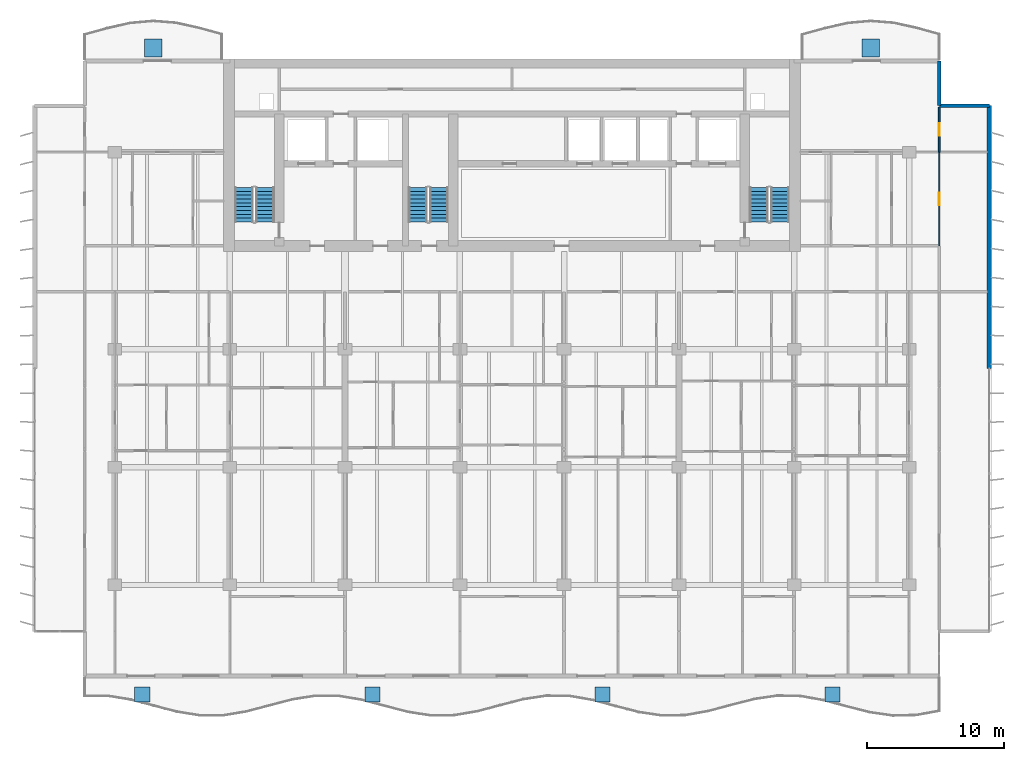
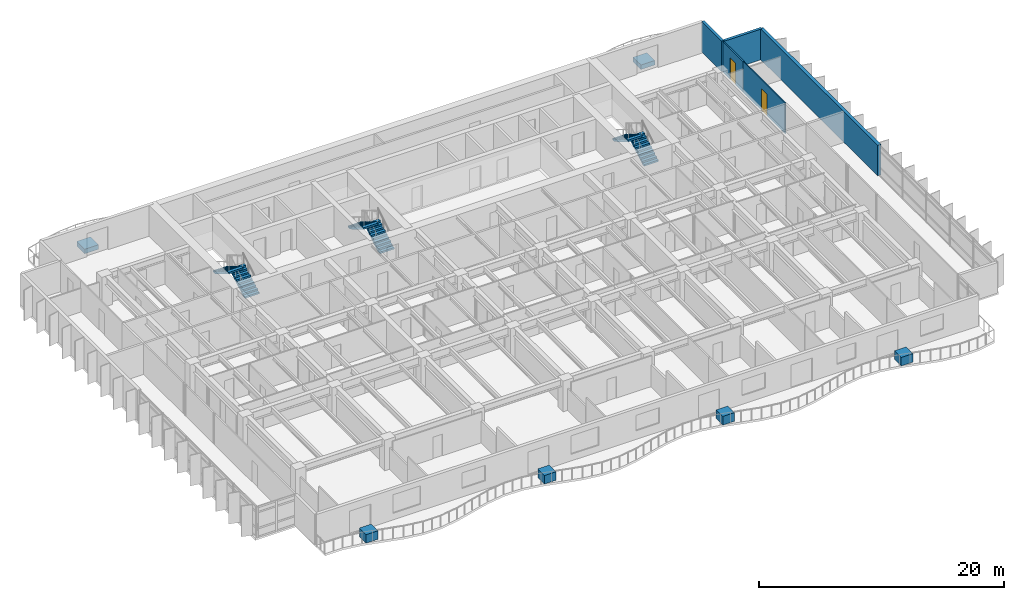
# One storey, part 15 of 19: 6 discrete accessories, 6 stair flights, 5 walls, 2 doors, 2 openings, 3 elements without a shape of their own.
"""IFC4 building model written with IfcOpenShell, lengths in metres."""

from ifc_helpers import new_model, si_unit, direction, frame, frame_2d, origin, origin_2d, place, context, subcontext, project, spatial, polyline, rectangle, outline, extrude, material, layer, layer_set, type_object, element, fill, aggregate, save


model = new_model("IFC4")

# Units and contexts
model_context = context("Model", 3, precision=1e-05, world=origin(), true_north=direction((0.0, 1.0)))
body_context = subcontext(model_context, "Body", "Model", "MODEL_VIEW")
ifc_project = project(units=[si_unit("LENGTHUNIT", "METRE"), si_unit("AREAUNIT", "SQUARE_METRE"), si_unit("VOLUMEUNIT", "CUBIC_METRE"), si_unit("PLANEANGLEUNIT", "RADIAN"), si_unit("MASSUNIT", "GRAM", prefix="KILO")], contexts=[model_context])

# Site, building, storey
site_placement = place(None, origin())
site = spatial("IfcSite", under=ifc_project, at=site_placement, CompositionType="ELEMENT")
building_placement = place(site_placement, origin())
building = spatial("IfcBuilding", under=site, at=building_placement, Name="Caelmar Bay Residences", CompositionType="ELEMENT")
storey_placement = place(building_placement, frame((0.0, 0.0, 112.5)))
storey = spatial("IfcBuildingStorey", under=building, at=storey_placement, Name="L30", CompositionType="ELEMENT", Elevation=112.5)

# Walls
ifc_material_1 = material(Name="Precast concrete f'c 40 MPa (6,000 psi)", Category="concrete")
ifc_layer_1 = layer(ifc_material_1, 0.25)
ifc_layer_set_1 = layer_set([ifc_layer_1], Name="Precast concrete f'c 40 MPa (6,000 psi)")
wall_type_1 = type_object("IfcWallType", Name="W-EXT-250", PredefinedType="ELEMENTEDWALL", material=ifc_layer_set_1)
wall_1_placement = place(storey_placement, frame((70.10009765625, 50.449951171875, 0.0), z_axis=(0.0, 0.0, 1.0), x_axis=(0.0, -1.0, 0.0)))
element("IfcWall", 1, at=wall_1_placement, inside=storey, type_object=wall_type_1, Name="L30 NNE-V Notch Wall", PredefinedType="ELEMENTEDWALL", context=body_context, shape_type="SweptSolid", body=[
    extrude(rectangle(XDim=3.25, YDim=0.25, at=frame_2d((1.625, 0.0))), origin(), (0.0, 0.0, 1.0), 3.050048828125),
])
wall_2_placement = place(storey_placement, frame((70.10009765625, 47.199951171875, 0.0), z_axis=(0.0, 0.0, 1.0), x_axis=(1.0, 0.0, 0.0)))
element("IfcWall", 2, at=wall_2_placement, inside=storey, type_object=wall_type_1, Name="L30 NNE-H Notch Wall", PredefinedType="ELEMENTEDWALL", context=body_context, shape_type="SweptSolid", body=[
    extrude(rectangle(XDim=3.64990234375, YDim=0.25, at=frame_2d((1.824951171875, 0.0))), origin(), (0.0, 0.0, 1.0), 3.050048828125),
])
ifc_layer_2 = layer(ifc_material_1, 0.300048828125)
ifc_layer_set_2 = layer_set([ifc_layer_2], Name="Precast concrete f'c 40 MPa (6,000 psi)")
wall_type_2 = type_object("IfcWallType", Name="W-EXT-300", PredefinedType="STANDARD", material=ifc_layer_set_2)
wall_3_placement = place(storey_placement, frame((73.75, 47.199951171875, 0.0), z_axis=(0.0, 0.0, 1.0), x_axis=(0.0, -1.0, 0.0)))
element("IfcWall", 3, at=wall_3_placement, inside=storey, type_object=wall_type_2, Name="L30 East Rear Exterior Wall", PredefinedType="STANDARD", context=body_context, shape_type="SweptSolid", body=[
    extrude(rectangle(XDim=19.199951171875, YDim=0.300048828125, at=frame_2d((9.60009765625, 0.0))), origin(), (0.0, 0.0, 1.0), 3.050048828125),
])

# Wall, opening, door
ifc_material_2 = material(Name="Anodised bronze framed acoustic sliding study partition 100 mm")
ifc_layer_3 = layer(ifc_material_2, 0.10009765625)
ifc_layer_set_3 = layer_set([ifc_layer_3], Name="Anodised bronze framed acoustic sliding study partition 100 mm")
wall_type_3 = type_object("IfcWallType", Name="W-MOV-100", PredefinedType="MOVABLE", material=ifc_layer_set_3)
wall_4_placement = place(storey_placement, frame((70.10009765625, 36.955078125, 0.0), z_axis=(0.0, 0.0, 1.0), x_axis=(0.0, 1.0, 0.0)))
wall_4 = element("IfcWall", 4, at=wall_4_placement, inside=storey, type_object=wall_type_3, Name="L30 Partition Wall V118", PredefinedType="MOVABLE", context=body_context, shape_type="SweptSolid", body=[
    extrude(rectangle(XDim=6.844970703125, YDim=0.10009765625, at=frame_2d((3.42236328125, 0.0))), origin(), (0.0, 0.0, 1.0), 3.050048828125),
])
opening_1_placement = place(wall_4_placement, frame((2.972412109375, 0.0, 0.0)))
opening_1 = element("IfcOpeningElement", 5, at=opening_1_placement, cuts=wall_4, Name="Opening D-L30-176", PredefinedType="OPENING", context=body_context, shape_type="SweptSolid", body=[
    extrude(rectangle(XDim=0.89990234375, YDim=2.14990234375, at=frame_2d((0.449951171875, 1.074951171875))), frame((0.0, 0.06005859375, 0.0), z_axis=(0.0, -1.0, 0.0), x_axis=(1.0, 0.0, 0.0)), (0.0, 0.0, 1.0), 0.1201171875),
])
ifc_material_3 = material(Name="Solid walnut timber interior door leaf and frame", Category="wood")
ifc_layer_4 = layer(ifc_material_3, 0.050048828125)
ifc_layer_set_4 = layer_set([ifc_layer_4], Name="Solid walnut timber interior door leaf and frame")
door_type = type_object("IfcDoorType", Name="D-ROOM-900", OperationType="NOTDEFINED", PredefinedType="DOOR", material=ifc_layer_set_4)
door_1_placement = place(opening_1_placement, origin())
door_1 = element("IfcDoor", 6, at=door_1_placement, inside=storey, type_object=door_type, Name="L30 Residence EA Sun Study Door", OperationType="SINGLE_SWING_RIGHT", OverallHeight=2.14990234375, OverallWidth=0.89990234375, PredefinedType="DOOR", context=body_context, shape_type="SweptSolid", body=[
    extrude(rectangle(XDim=0.89990234375, YDim=2.14990234375, at=frame_2d((0.449951171875, 1.074951171875))), frame((0.0, 0.02490234375, 0.0), z_axis=(0.0, -1.0, 0.0), x_axis=(1.0, 0.0, 0.0)), (0.0, 0.0, 1.0), 0.050048828125),
])
fill(opening_1, door_1)

ifc_material_4 = material(Name="Acoustic metal-stud gypsum partition 120 mm")
ifc_layer_5 = layer(ifc_material_4, 0.1201171875)
ifc_layer_set_5 = layer_set([ifc_layer_5], Name="Acoustic metal-stud gypsum partition 120 mm")
wall_type_4 = type_object("IfcWallType", Name="W-PRT-120", PredefinedType="PARTITIONING", material=ifc_layer_set_5)
wall_5_placement = place(storey_placement, frame((70.10009765625, 43.804931640625, 0.0), z_axis=(0.0, 0.0, 1.0), x_axis=(0.0, 1.0, 0.0)))
wall_5 = element("IfcWall", 7, at=wall_5_placement, inside=storey, type_object=wall_type_4, Name="L30 Partition Wall V119", PredefinedType="PARTITIONING", context=body_context, shape_type="SweptSolid", body=[
    extrude(rectangle(XDim=3.275146484375, YDim=0.1201171875, at=frame_2d((1.6376953125, 0.0))), origin(), (0.0, 0.0, 1.0), 3.050048828125),
])
opening_2_placement = place(wall_5_placement, frame((1.1875, 0.0, 0.0)))
opening_2 = element("IfcOpeningElement", 8, at=opening_2_placement, cuts=wall_5, Name="Opening D-L30-177", PredefinedType="OPENING", context=body_context, shape_type="SweptSolid", body=[
    extrude(rectangle(XDim=0.89990234375, YDim=2.14990234375, at=frame_2d((0.449951171875, 1.074951171875))), frame((0.0, 0.070068359375, 0.0), z_axis=(0.0, -1.0, 0.0), x_axis=(1.0, 0.0, 0.0)), (0.0, 0.0, 1.0), 0.14013671875),
])
door_2_placement = place(opening_2_placement, origin())
door_2 = element("IfcDoor", 9, at=door_2_placement, inside=storey, type_object=door_type, Name="L30 Residence EA North Sitting Alcove Door", OperationType="SINGLE_SWING_LEFT", OverallHeight=2.14990234375, OverallWidth=0.89990234375, PredefinedType="DOOR", context=body_context, shape_type="SweptSolid", body=[
    extrude(rectangle(XDim=0.89990234375, YDim=2.14990234375, at=frame_2d((0.449951171875, 1.074951171875))), frame((0.0, 0.02490234375, 0.0), z_axis=(0.0, -1.0, 0.0), x_axis=(1.0, 0.0, 0.0)), (0.0, 0.0, 1.0), 0.050048828125),
])
fill(opening_2, door_2)

# Stair, stair flights
ifc_material_5 = material(Name="Concrete f'c 40 MPa (6,000 psi)", Category="concrete")
stair_type = type_object("IfcStairType", Name="ST-TYP-165", PredefinedType="HALF_TURN_STAIR", material=ifc_material_5)
stair_1_placement = place(storey_placement, origin())
stair_1 = element("IfcStair", 10, at=stair_1_placement, inside=storey, type_object=stair_type, Name="L30 West Smokeproof Exit Stair ST1", PredefinedType="HALF_TURN_STAIR")
stair_flight_type = type_object("IfcStairFlightType", Name="STF-1350", PredefinedType="STRAIGHT", material=ifc_material_5)
stair_flight_1_placement = place(storey_placement, frame((20.875, 38.699951171875, 0.0), z_axis=(0.0, 0.0, 1.0), x_axis=(0.0, 1.0, 0.0)))
stair_flight_1 = element("IfcStairFlight", 11, at=stair_flight_1_placement, type_object=stair_flight_type, Name="ST1 flight 1", NumberOfRisers=10, NumberOfTreads=9, PredefinedType="STRAIGHT", RiserHeight=0.165, TreadLength=0.28, context=body_context, shape_type="SweptSolid", body=[
    extrude(outline(polyline([(0.0, 0.0), (0.0, 0.1650390625), (0.280029296875, 0.1650390625), (0.280029296875, 0.330078125), (0.56005859375, 0.330078125), (0.56005859375, 0.4951171875), (0.840087890625, 0.4951171875), (0.840087890625, 0.659912109375), (1.1201171875, 0.659912109375), (1.1201171875, 0.824951171875), (1.39990234375, 0.824951171875), (1.39990234375, 0.989990234375), (1.679931640625, 0.989990234375), (1.679931640625, 1.155029296875), (1.9599609375, 1.155029296875), (1.9599609375, 1.320068359375), (2.239990234375, 1.320068359375), (2.239990234375, 1.485107421875), (2.52001953125, 1.485107421875), (2.52001953125, 1.64990234375), (2.52001953125, 1.31103515625), (0.295166015625, 0.0), (0.0, 0.0)])), frame((0.0, 0.675048828125, 0.0), z_axis=(0.0, -1.0, 0.0), x_axis=(1.0, 0.0, 0.0)), (0.0, 0.0, 1.0), 1.35009765625),
])
stair_flight_2_placement = place(storey_placement, frame((19.324951171875, 41.219970703125, 1.64990234375), z_axis=(0.0, 0.0, 1.0), x_axis=(0.0, -1.0, 0.0)))
stair_flight_2 = element("IfcStairFlight", 12, at=stair_flight_2_placement, type_object=stair_flight_type, Name="ST1 flight 2", NumberOfRisers=10, NumberOfTreads=9, PredefinedType="STRAIGHT", RiserHeight=0.165, TreadLength=0.28, context=body_context, shape_type="SweptSolid", body=[
    extrude(outline(polyline([(0.0, 0.0), (0.0, 0.1650390625), (0.280029296875, 0.1650390625), (0.280029296875, 0.330078125), (0.56005859375, 0.330078125), (0.56005859375, 0.4951171875), (0.840087890625, 0.4951171875), (0.840087890625, 0.659912109375), (1.1201171875, 0.659912109375), (1.1201171875, 0.824951171875), (1.39990234375, 0.824951171875), (1.39990234375, 0.989990234375), (1.679931640625, 0.989990234375), (1.679931640625, 1.155029296875), (1.9599609375, 1.155029296875), (1.9599609375, 1.320068359375), (2.239990234375, 1.320068359375), (2.239990234375, 1.485107421875), (2.52001953125, 1.485107421875), (2.52001953125, 1.64990234375), (2.52001953125, 1.31103515625), (0.295166015625, 0.0), (0.0, 0.0)])), frame((0.0, 0.675048828125, 0.0), z_axis=(0.0, -1.0, 0.0), x_axis=(1.0, 0.0, 0.0)), (0.0, 0.0, 1.0), 1.35009765625),
])
aggregate(stair_1, [stair_flight_1, stair_flight_2])

stair_2_placement = place(storey_placement, origin())
stair_2 = element("IfcStair", 13, at=stair_2_placement, inside=storey, type_object=stair_type, Name="L30 East Smokeproof Exit Stair ST2", PredefinedType="HALF_TURN_STAIR")
stair_flight_3_placement = place(storey_placement, frame((58.47509765625, 38.699951171875, 0.0), z_axis=(0.0, 0.0, 1.0), x_axis=(0.0, 1.0, 0.0)))
stair_flight_3 = element("IfcStairFlight", 14, at=stair_flight_3_placement, type_object=stair_flight_type, Name="ST2 flight 1", NumberOfRisers=10, NumberOfTreads=9, PredefinedType="STRAIGHT", RiserHeight=0.165, TreadLength=0.28, context=body_context, shape_type="SweptSolid", body=[
    extrude(outline(polyline([(0.0, 0.0), (0.0, 0.1650390625), (0.280029296875, 0.1650390625), (0.280029296875, 0.330078125), (0.56005859375, 0.330078125), (0.56005859375, 0.4951171875), (0.840087890625, 0.4951171875), (0.840087890625, 0.659912109375), (1.1201171875, 0.659912109375), (1.1201171875, 0.824951171875), (1.39990234375, 0.824951171875), (1.39990234375, 0.989990234375), (1.679931640625, 0.989990234375), (1.679931640625, 1.155029296875), (1.9599609375, 1.155029296875), (1.9599609375, 1.320068359375), (2.239990234375, 1.320068359375), (2.239990234375, 1.485107421875), (2.52001953125, 1.485107421875), (2.52001953125, 1.64990234375), (2.52001953125, 1.31103515625), (0.295166015625, 0.0), (0.0, 0.0)])), frame((0.0, 0.675048828125, 0.0), z_axis=(0.0, -1.0, 0.0), x_axis=(1.0, 0.0, 0.0)), (0.0, 0.0, 1.0), 1.35009765625),
])
stair_flight_4_placement = place(storey_placement, frame((56.925048828125, 41.219970703125, 1.64990234375), z_axis=(0.0, 0.0, 1.0), x_axis=(0.0, -1.0, 0.0)))
stair_flight_4 = element("IfcStairFlight", 15, at=stair_flight_4_placement, type_object=stair_flight_type, Name="ST2 flight 2", NumberOfRisers=10, NumberOfTreads=9, PredefinedType="STRAIGHT", RiserHeight=0.165, TreadLength=0.28, context=body_context, shape_type="SweptSolid", body=[
    extrude(outline(polyline([(0.0, 0.0), (0.0, 0.1650390625), (0.280029296875, 0.1650390625), (0.280029296875, 0.330078125), (0.56005859375, 0.330078125), (0.56005859375, 0.4951171875), (0.840087890625, 0.4951171875), (0.840087890625, 0.659912109375), (1.1201171875, 0.659912109375), (1.1201171875, 0.824951171875), (1.39990234375, 0.824951171875), (1.39990234375, 0.989990234375), (1.679931640625, 0.989990234375), (1.679931640625, 1.155029296875), (1.9599609375, 1.155029296875), (1.9599609375, 1.320068359375), (2.239990234375, 1.320068359375), (2.239990234375, 1.485107421875), (2.52001953125, 1.485107421875), (2.52001953125, 1.64990234375), (2.52001953125, 1.31103515625), (0.295166015625, 0.0), (0.0, 0.0)])), frame((0.0, 0.675048828125, 0.0), z_axis=(0.0, -1.0, 0.0), x_axis=(1.0, 0.0, 0.0)), (0.0, 0.0, 1.0), 1.35009765625),
])
aggregate(stair_2, [stair_flight_3, stair_flight_4])

stair_3_placement = place(storey_placement, origin())
stair_3 = element("IfcStair", 16, at=stair_3_placement, inside=storey, type_object=stair_type, Name="L30 Central Smokeproof Exit Stair ST3", PredefinedType="HALF_TURN_STAIR")
stair_flight_5_placement = place(storey_placement, frame((33.574951171875, 38.699951171875, 0.0), z_axis=(0.0, 0.0, 1.0), x_axis=(0.0, 1.0, 0.0)))
stair_flight_5 = element("IfcStairFlight", 17, at=stair_flight_5_placement, type_object=stair_flight_type, Name="ST3 flight 1", NumberOfRisers=10, NumberOfTreads=9, PredefinedType="STRAIGHT", RiserHeight=0.165, TreadLength=0.28, context=body_context, shape_type="SweptSolid", body=[
    extrude(outline(polyline([(0.0, 0.0), (0.0, 0.1650390625), (0.280029296875, 0.1650390625), (0.280029296875, 0.330078125), (0.56005859375, 0.330078125), (0.56005859375, 0.4951171875), (0.840087890625, 0.4951171875), (0.840087890625, 0.659912109375), (1.1201171875, 0.659912109375), (1.1201171875, 0.824951171875), (1.39990234375, 0.824951171875), (1.39990234375, 0.989990234375), (1.679931640625, 0.989990234375), (1.679931640625, 1.155029296875), (1.9599609375, 1.155029296875), (1.9599609375, 1.320068359375), (2.239990234375, 1.320068359375), (2.239990234375, 1.485107421875), (2.52001953125, 1.485107421875), (2.52001953125, 1.64990234375), (2.52001953125, 1.31103515625), (0.295166015625, 0.0), (0.0, 0.0)])), frame((0.0, 0.675048828125, 0.0), z_axis=(0.0, -1.0, 0.0), x_axis=(1.0, 0.0, 0.0)), (0.0, 0.0, 1.0), 1.35009765625),
])
stair_flight_6_placement = place(storey_placement, frame((32.02490234375, 41.219970703125, 1.64990234375), z_axis=(0.0, 0.0, 1.0), x_axis=(0.0, -1.0, 0.0)))
stair_flight_6 = element("IfcStairFlight", 18, at=stair_flight_6_placement, type_object=stair_flight_type, Name="ST3 flight 2", NumberOfRisers=10, NumberOfTreads=9, PredefinedType="STRAIGHT", RiserHeight=0.165, TreadLength=0.28, context=body_context, shape_type="SweptSolid", body=[
    extrude(outline(polyline([(0.0, 0.0), (0.0, 0.1650390625), (0.280029296875, 0.1650390625), (0.280029296875, 0.330078125), (0.56005859375, 0.330078125), (0.56005859375, 0.4951171875), (0.840087890625, 0.4951171875), (0.840087890625, 0.659912109375), (1.1201171875, 0.659912109375), (1.1201171875, 0.824951171875), (1.39990234375, 0.824951171875), (1.39990234375, 0.989990234375), (1.679931640625, 0.989990234375), (1.679931640625, 1.155029296875), (1.9599609375, 1.155029296875), (1.9599609375, 1.320068359375), (2.239990234375, 1.320068359375), (2.239990234375, 1.485107421875), (2.52001953125, 1.485107421875), (2.52001953125, 1.64990234375), (2.52001953125, 1.31103515625), (0.295166015625, 0.0), (0.0, 0.0)])), frame((0.0, 0.675048828125, 0.0), z_axis=(0.0, -1.0, 0.0), x_axis=(1.0, 0.0, 0.0)), (0.0, 0.0, 1.0), 1.35009765625),
])
aggregate(stair_3, [stair_flight_5, stair_flight_6])

# Discrete accessories
ifc_material_6 = material(Name="Architectural bronze GRC planter trough with volcanic-lapilli substrate")
discrete_accessory_type_1 = type_object("IfcDiscreteAccessoryType", Name="ACC-PLANTER-1100", PredefinedType="USERDEFINED", material=ifc_material_6)
for number, where, z_axis, x_axis, name in (
    (19, (11.89990234375, 4.181884765625, 0.0), (0.0, 0.0, 1.0), (1.0, 0.0, 0.0), "L30 Balcony Structural Tree Planter 1"),
    (20, (28.699951171875, 4.181884765625, 0.0), (0.0, 0.0, 1.0), (1.0, 0.0, 0.0), "L30 Balcony Structural Tree Planter 2"),
    (21, (45.5, 4.181884765625, 0.0), (0.0, 0.0, 1.0), (1.0, 0.0, 0.0), "L30 Balcony Structural Tree Planter 3"),
    (22, (62.300048828125, 4.181884765625, 0.0), (0.0, 0.0, 1.0), (1.0, 0.0, 0.0), "L30 Balcony Structural Tree Planter 4"),
):
    element("IfcDiscreteAccessory", number, at=place(storey_placement, frame(where, z_axis=z_axis, x_axis=x_axis)), inside=storey, type_object=discrete_accessory_type_1, Name=name, ObjectType="PLANTER", PredefinedType="USERDEFINED", context=body_context, shape_type="SweptSolid", body=[
        extrude(rectangle(XDim=1.10009765625, YDim=1.10009765625, at=origin_2d()), origin(), (0.0, 0.0, 1.0), 0.85009765625),
    ])
discrete_accessory_type_2 = type_object("IfcDiscreteAccessoryType", Name="STR-PLANTER-KERB-450", PredefinedType="USERDEFINED", material=ifc_material_1)
for number, where, z_axis, x_axis, name in (
    (23, (12.699951171875, 51.39990234375, 0.0), (0.0, 0.0, 1.0), (1.0, 0.0, 0.0), "L30 north_west Structural Tree Planter Kerb"),
    (24, (65.10009765625, 51.39990234375, 0.0), (0.0, 0.0, 1.0), (1.0, 0.0, 0.0), "L30 north_east Structural Tree Planter Kerb"),
):
    element("IfcDiscreteAccessory", number, at=place(storey_placement, frame(where, z_axis=z_axis, x_axis=x_axis)), inside=storey, type_object=discrete_accessory_type_2, Name=name, ObjectType="PLANTER", PredefinedType="USERDEFINED", context=body_context, shape_type="SweptSolid", body=[
        extrude(rectangle(XDim=1.300048828125, YDim=1.300048828125, at=origin_2d()), origin(), (0.0, 0.0, 1.0), 0.449951171875),
    ])

save(model, "model.ifc")
